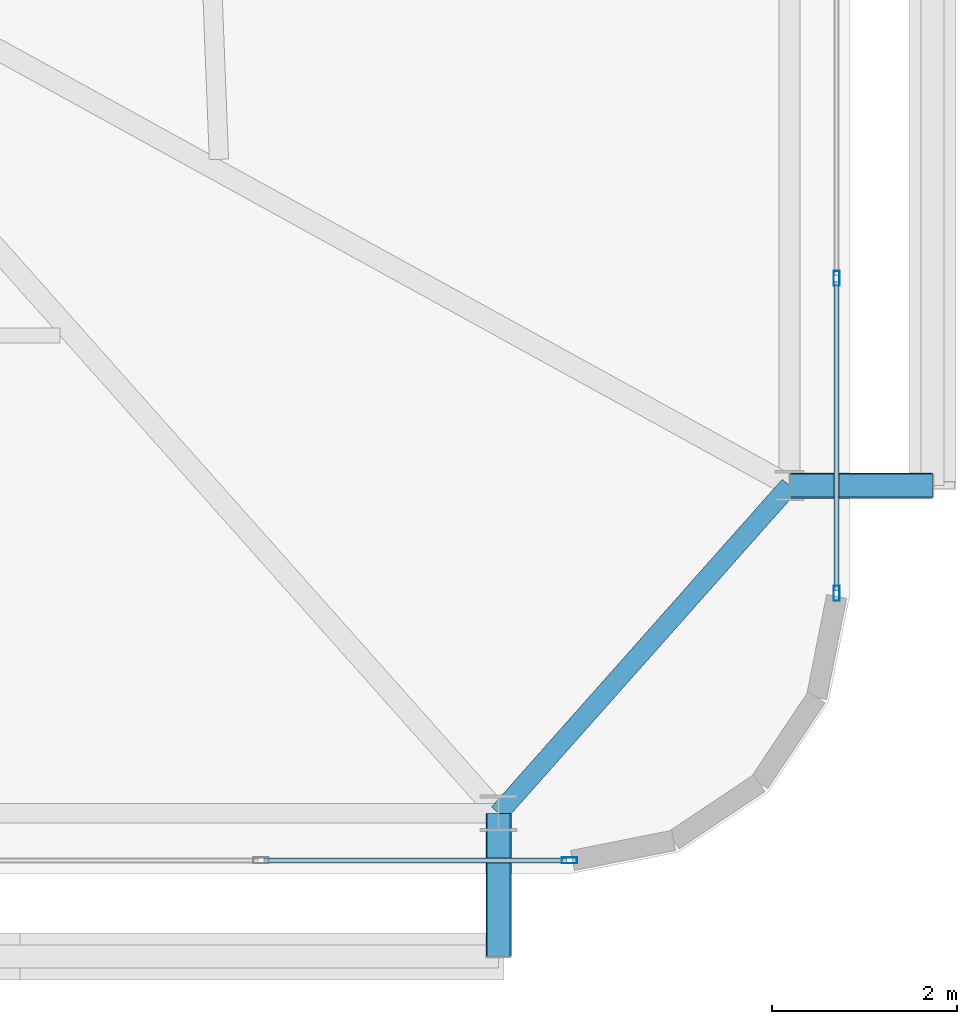
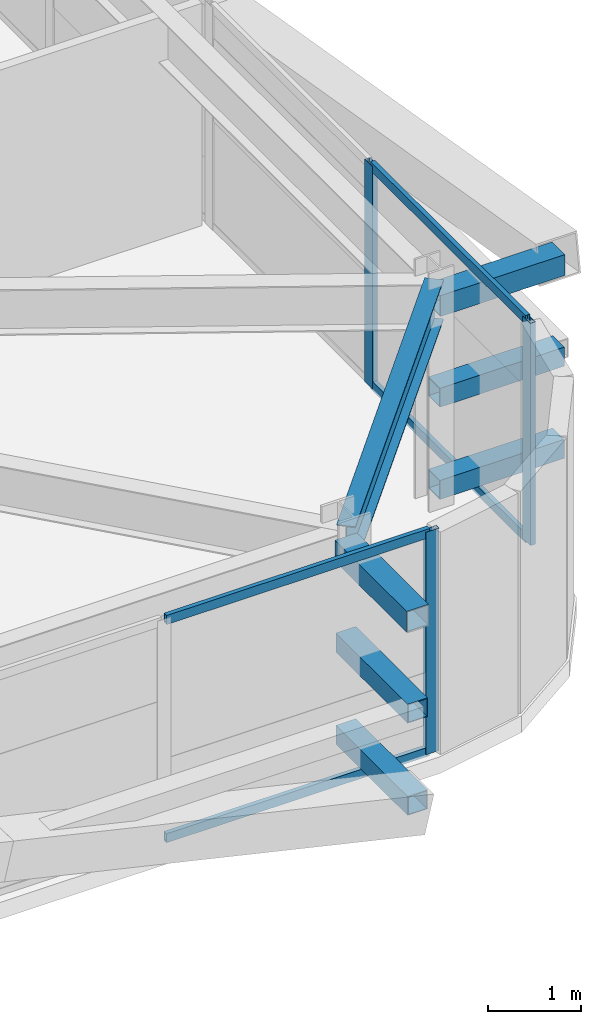
# One storey, part 24 of 58: 13 members, 1 beam, 2 elements without a shape of their own.
"""IFC4 building model written with IfcOpenShell, lengths in metres."""

from ifc_helpers import new_model, si_unit, direction, frame, origin, origin_2d, place, context, subcontext, project, spatial, hollow_rectangle, i_section, extrude, source, transform, mapped, material, layer, layer_set, material_profile, profile_set, type_object, element, aggregate, save


model = new_model("IFC4")

# Units and contexts
model_context = context("Model", 3, precision=1e-05, world=origin(), true_north=direction((0.0, 1.0)))
body_context = subcontext(model_context, "Body", "Model", "MODEL_VIEW")
ifc_project = project(units=[si_unit("LENGTHUNIT", "METRE"), si_unit("AREAUNIT", "SQUARE_METRE"), si_unit("VOLUMEUNIT", "CUBIC_METRE"), si_unit("PLANEANGLEUNIT", "RADIAN"), si_unit("MASSUNIT", "GRAM", prefix="KILO")], contexts=[model_context])

# Site, building, storey
site_placement = place(None, origin())
site = spatial("IfcSite", under=ifc_project, at=site_placement, CompositionType="ELEMENT")
building_placement = place(site_placement, origin())
building = spatial("IfcBuilding", under=site, at=building_placement, Name="Taldren Reach Tower", CompositionType="ELEMENT")
storey_placement = place(building_placement, frame((0.0, 0.0, 51.449951171875)))
storey = spatial("IfcBuildingStorey", under=building, at=storey_placement, Name="L15", CompositionType="ELEMENT", Elevation=51.449951171875)

# Beam
ifc_material_1 = material(Name="Steel Gr 350 (350PLUS)", Category="steel")
ifc_material_profile_1 = material_profile(ifc_material_1, i_section(OverallWidth=0.208984375, OverallDepth=0.528076171875, WebThickness=0.009521484375, FlangeThickness=0.01318359375, at=origin_2d()), Name="530UB82.0")
ifc_profile_set_1 = profile_set([ifc_material_profile_1], Name="Steel Gr 350 (350PLUS)")
beam_type = type_object("IfcBeamType", Name="SP-UB530B", PredefinedType="SPANDREL", material=ifc_profile_set_1)
shared_shape_1 = source(origin(), body_context, "Body", "SweptSolid", [
    extrude(i_section(OverallWidth=0.208984375, OverallDepth=0.528076171875, WebThickness=0.009521484375, FlangeThickness=0.01318359375, at=origin_2d()), origin(), (0.0, 0.0, 1.0), 4.74609375),
])
beam_placement = place(storey_placement, frame((61.199951171875, 2.14990234375, 2.666015625), z_axis=(0.663721843779, 0.747979487747, 0.0), x_axis=(-0.747979487747, 0.663721843779, 0.0)))
element("IfcBeam", 1, at=beam_placement, inside=storey, type_object=beam_type, Name="Perimeter spandrel B1 S6-E1 L15", PredefinedType="SPANDREL", context=body_context, shape_type="MappedRepresentation", body=[
    mapped(shared_shape_1, transform((0.0, 0.0, 0.0), scale=1.0)),
])

# Members
ifc_material_2 = material(Name="Steel Gr 450 (C450L0)", Category="steel")
ifc_material_profile_2 = material_profile(ifc_material_2, hollow_rectangle(XDim=0.27490234375, YDim=0.27490234375, WallThickness=0.00927734375, at=origin_2d()), Name="275x275x9.3SHS")
ifc_profile_set_2 = profile_set([ifc_material_profile_2], Name="Steel Gr 450 (C450L0)")
member_type_1 = type_object("IfcMemberType", Name="MB-TIE273", PredefinedType="STRUT", material=ifc_profile_set_2)
shared_shape_2 = source(origin(), body_context, "Body", "SweptSolid", [
    extrude(hollow_rectangle(XDim=0.27490234375, YDim=0.27490234375, WallThickness=0.00927734375, at=origin_2d()), origin(), (0.0, 0.0, 1.0), 1.5498046875),
])
for number, where, z_axis, x_axis, name in (
    (2, (61.199951171875, 2.14990234375, 2.650146484375), (0.0, -1.0, 0.0), (1.0, 0.0, 0.0), "Exoskeleton diaphragm tie strut B1-S6 L15"),
    (3, (64.35009765625, 5.699951171875, 2.650146484375), (1.0, 0.0, 0.0), (0.0, 1.0, 0.0), "Exoskeleton diaphragm tie strut B1-E1 L15"),
):
    element("IfcMember", number, at=place(storey_placement, frame(where, z_axis=z_axis, x_axis=x_axis)), inside=storey, type_object=member_type_1, Name=name, PredefinedType="STRUT", context=body_context, shape_type="MappedRepresentation", body=[
        mapped(shared_shape_2, transform((0.0, 0.0, 0.0), scale=1.0)),
    ])
ifc_material_3 = material(Name="Steel Gr 350 (C350L0)", Category="steel")
ifc_material_profile_3 = material_profile(ifc_material_3, hollow_rectangle(XDim=0.25, YDim=0.25, WallThickness=0.010009765625, at=origin_2d()), Name="250x250x10.0SHS")
ifc_profile_set_3 = profile_set([ifc_material_profile_3], Name="Steel Gr 350 (C350L0)")
member_type_2 = type_object("IfcMemberType", Name="MB-POST250", PredefinedType="POST", material=ifc_profile_set_3)
shared_shape_3 = source(origin(), body_context, "Body", "SweptSolid", [
    extrude(hollow_rectangle(XDim=0.25, YDim=0.25, WallThickness=0.010009765625, at=origin_2d()), origin(), (0.0, 0.0, 1.0), 1.5498046875),
])
for number, where, z_axis, x_axis, name in (
    (4, (61.199951171875, 2.14990234375, 0.219970703125), (0.0, -1.0, 0.0), (1.0, 0.0, 0.0), "Exoskeleton base diaphragm tie strut B1-S6 L15"),
    (5, (64.35009765625, 5.699951171875, 0.219970703125), (1.0, 0.0, 0.0), (0.0, 1.0, 0.0), "Exoskeleton base diaphragm tie strut B1-E1 L15"),
    (6, (61.199951171875, 2.14990234375, 1.43505859375), (0.0, -1.0, 0.0), (1.0, 0.0, 0.0), "Exoskeleton mid-tier diaphragm tie B1-S6 L15"),
    (7, (64.35009765625, 5.699951171875, 1.43505859375), (1.0, 0.0, 0.0), (0.0, 1.0, 0.0), "Exoskeleton mid-tier diaphragm tie B1-E1 L15"),
):
    element("IfcMember", number, at=place(storey_placement, frame(where, z_axis=z_axis, x_axis=x_axis)), inside=storey, type_object=member_type_2, Name=name, PredefinedType="POST", context=body_context, shape_type="MappedRepresentation", body=[
        mapped(shared_shape_3, transform((0.0, 0.0, 0.0), scale=1.0)),
    ])

# Curtain wall, member
ifc_material_4 = material(Name="Aluminium and Low-E Glass Unitised System", Category="aluminium")
ifc_layer = layer(ifc_material_4, 0.159912109375)
ifc_layer_set = layer_set([ifc_layer], Name="Aluminium and Low-E Glass Unitised System")
curtain_wall_type = type_object("IfcCurtainWallType", Name="CW-SYS-2", PredefinedType="NOTDEFINED", material=ifc_layer_set)
curtain_wall_1_placement = place(storey_placement, origin())
curtain_wall_1 = element("IfcCurtainWall", 8, at=curtain_wall_1_placement, inside=storey, type_object=curtain_wall_type, Name="Unitised curtain wall CW-L15-S", PredefinedType="NOTDEFINED")
ifc_material_5 = material(Name="Anodised Aluminium 6063-T6", Category="aluminium")
ifc_material_profile_4 = material_profile(ifc_material_5, hollow_rectangle(XDim=0.06494140625, YDim=0.1650390625, WallThickness=0.00390625, at=origin_2d()), Name="ALU-165x65x4RHS")
ifc_profile_set_4 = profile_set([ifc_material_profile_4], Name="Anodised Aluminium 6063-T6")
member_type_3 = type_object("IfcMemberType", Name="CW-MUL-165", PredefinedType="MULLION", material=ifc_profile_set_4)
shared_shape_4 = source(origin(), body_context, "Body", "SweptSolid", [
    extrude(hollow_rectangle(XDim=0.06494140625, YDim=0.1650390625, WallThickness=0.00390625, at=origin_2d()), origin(), (0.0, 0.0, 1.0), 2.929931640625),
])
member_1_placement = place(storey_placement, frame((61.967529296875, 1.639892578125, 0.0), z_axis=(0.0, 0.0, 1.0), x_axis=(0.0, 1.0, 0.0)))
member_1 = element("IfcMember", 9, at=member_1_placement, type_object=member_type_3, Name="CW-2 mullion 17", PredefinedType="MULLION", context=body_context, shape_type="MappedRepresentation", body=[
    mapped(shared_shape_4, transform((0.0, 0.0, 0.0), scale=1.0)),
])

# Curtain wall, members
curtain_wall_2_placement = place(storey_placement, origin())
curtain_wall_2 = element("IfcCurtainWall", 10, at=curtain_wall_2_placement, inside=storey, type_object=curtain_wall_type, Name="Unitised curtain wall CW-L15-E", PredefinedType="NOTDEFINED")
member_2_placement = place(storey_placement, frame((64.860107421875, 4.532470703125, 0.0), z_axis=(0.0, 0.0, 1.0), x_axis=(-1.0, 0.0, 0.0)))
member_2 = element("IfcMember", 11, at=member_2_placement, type_object=member_type_3, Name="CW-2 mullion 1", PredefinedType="MULLION", context=body_context, shape_type="MappedRepresentation", body=[
    mapped(shared_shape_4, transform((0.0, 0.0, 0.0), scale=1.0)),
])
member_3_placement = place(storey_placement, frame((64.860107421875, 7.9443359375, 0.0), z_axis=(0.0, 0.0, 1.0), x_axis=(-1.0, 0.0, 0.0)))
member_3 = element("IfcMember", 12, at=member_3_placement, type_object=member_type_3, Name="CW-2 mullion 2", PredefinedType="MULLION", context=body_context, shape_type="MappedRepresentation", body=[
    mapped(shared_shape_4, transform((0.0, 0.0, 0.0), scale=1.0)),
])

# Member
ifc_material_profile_5 = material_profile(ifc_material_5, hollow_rectangle(XDim=0.054931640625, YDim=0.1201171875, WallThickness=0.0029296875, at=origin_2d()), Name="ALU-120x55x3RHS")
ifc_profile_set_5 = profile_set([ifc_material_profile_5], Name="Anodised Aluminium 6063-T6")
member_type_4 = type_object("IfcMemberType", Name="CW-TRN-135", PredefinedType="USERDEFINED", material=ifc_profile_set_5)
shared_shape_5 = source(origin(), body_context, "Body", "SweptSolid", [
    extrude(hollow_rectangle(XDim=0.054931640625, YDim=0.1201171875, WallThickness=0.0029296875, at=origin_2d()), origin(), (0.0, 0.0, 1.0), 3.277587890625),
])
member_4_placement = place(storey_placement, frame((58.657470703125, 1.639892578125, 0.027587890625), z_axis=(1.0, 0.0, 0.0), x_axis=(0.0, 1.0, 0.0)))
member_4 = element("IfcMember", 13, at=member_4_placement, type_object=member_type_4, Name="CW-2 transom 16.1", ObjectType="TRANSOM", PredefinedType="USERDEFINED", context=body_context, shape_type="MappedRepresentation", body=[
    mapped(shared_shape_5, transform((0.0, 0.0, 0.0), scale=1.0)),
])

member_5_placement = place(storey_placement, frame((58.657470703125, 1.639892578125, 2.902587890625), z_axis=(1.0, 0.0, 0.0), x_axis=(0.0, 1.0, 0.0)))
member_5 = element("IfcMember", 14, at=member_5_placement, type_object=member_type_4, Name="CW-2 transom 16.2", ObjectType="TRANSOM", PredefinedType="USERDEFINED", context=body_context, shape_type="MappedRepresentation", body=[
    mapped(shared_shape_5, transform((0.0, 0.0, 0.0), scale=1.0)),
])

aggregate(curtain_wall_1, [member_1, member_4, member_5])

shared_shape_6 = source(origin(), body_context, "Body", "SweptSolid", [
    extrude(hollow_rectangle(XDim=0.054931640625, YDim=0.1201171875, WallThickness=0.0029296875, at=origin_2d()), origin(), (0.0, 0.0, 1.0), 3.346923828125),
])
member_6_placement = place(storey_placement, frame((64.860107421875, 4.56494140625, 0.027587890625), z_axis=(0.0, 1.0, 0.0), x_axis=(-1.0, 0.0, 0.0)))
member_6 = element("IfcMember", 15, at=member_6_placement, type_object=member_type_4, Name="CW-2 transom 1.1", ObjectType="TRANSOM", PredefinedType="USERDEFINED", context=body_context, shape_type="MappedRepresentation", body=[
    mapped(shared_shape_6, transform((0.0, 0.0, 0.0), scale=1.0)),
])

member_7_placement = place(storey_placement, frame((64.860107421875, 4.56494140625, 2.902587890625), z_axis=(0.0, 1.0, 0.0), x_axis=(-1.0, 0.0, 0.0)))
member_7 = element("IfcMember", 16, at=member_7_placement, type_object=member_type_4, Name="CW-2 transom 1.2", ObjectType="TRANSOM", PredefinedType="USERDEFINED", context=body_context, shape_type="MappedRepresentation", body=[
    mapped(shared_shape_6, transform((0.0, 0.0, 0.0), scale=1.0)),
])

aggregate(curtain_wall_2, [member_2, member_3, member_6, member_7])

save(model, "model.ifc")
